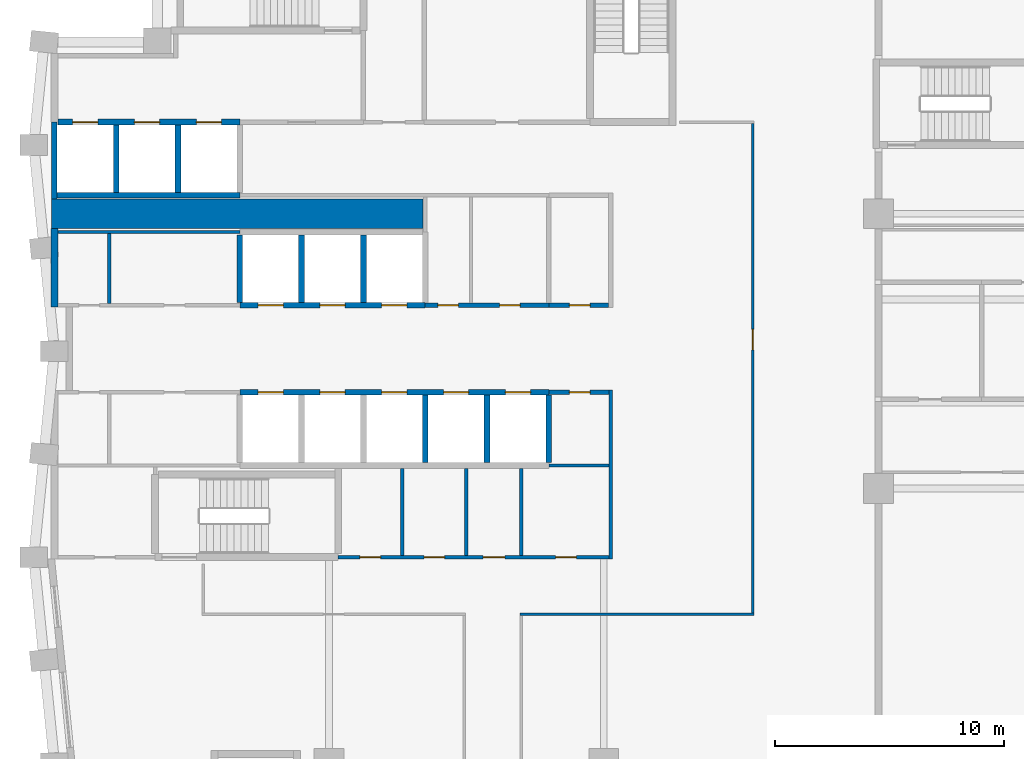
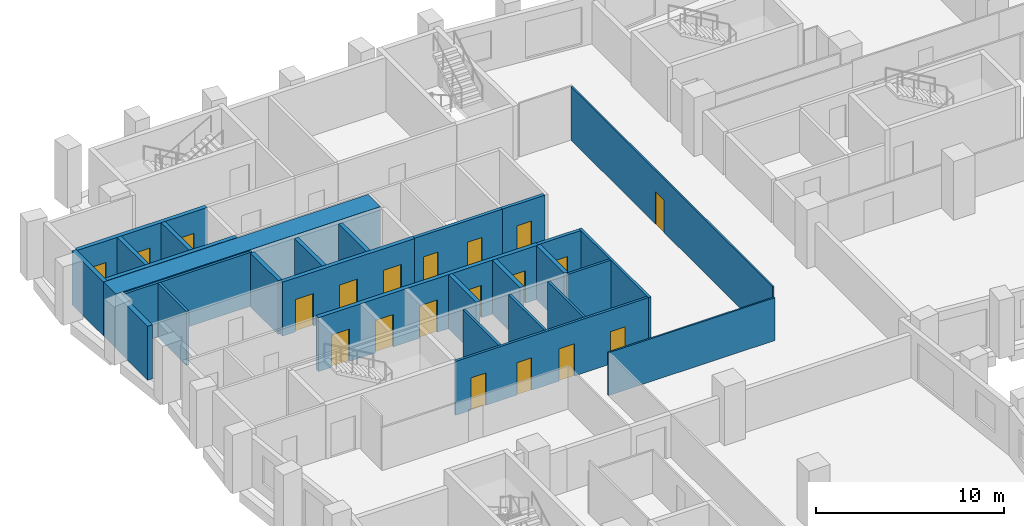
# One storey, part 5 of 11: 28 walls, 20 doors, 20 openings.
"""IFC4 building model written with IfcOpenShell, lengths in metres."""

from ifc_helpers import new_model, si_unit, direction, frame, frame_2d, origin, place, context, subcontext, project, spatial, rectangle, extrude, material, layer, layer_set, type_object, element, fill, save


model = new_model("IFC4")

# Units and contexts
model_context = context("Model", 3, precision=1e-05, world=origin(), true_north=direction((0.0, 1.0)))
body_context = subcontext(model_context, "Body", "Model", "MODEL_VIEW")
ifc_project = project(units=[si_unit("LENGTHUNIT", "METRE"), si_unit("AREAUNIT", "SQUARE_METRE"), si_unit("VOLUMEUNIT", "CUBIC_METRE"), si_unit("PLANEANGLEUNIT", "RADIAN"), si_unit("MASSUNIT", "GRAM", prefix="KILO")], contexts=[model_context])

# Site, building, storey
site_placement = place(None, origin())
site = spatial("IfcSite", under=ifc_project, at=site_placement, CompositionType="ELEMENT")
building_placement = place(site_placement, origin())
building = spatial("IfcBuilding", under=site, at=building_placement, Name="Brondeck Convention Tower", CompositionType="ELEMENT")
storey_placement = place(building_placement, frame((0.0, 0.0, 118.89990234375)))
storey = spatial("IfcBuildingStorey", under=building, at=storey_placement, Name="L28", CompositionType="ELEMENT", Elevation=118.89990234375)

# Wall, openings, doors
ifc_material_1 = material(Name="Concrete C70/85", Category="concrete")
ifc_layer_1 = layer(ifc_material_1, 0.14990234375)
ifc_layer_set_1 = layer_set([ifc_layer_1], Name="Core beam-seat wall 150 Concrete C70/85")
wall_type_1 = type_object("IfcWallType", Name="Core beam-seat wall 150 Concrete C70/85", PredefinedType="SHEAR", material=ifc_layer_set_1)
wall_1_placement = place(storey_placement, frame((12.39990234375, 36.0, 0.0), z_axis=(0.0, 0.0, 1.0), x_axis=(1.0, 0.0, 0.0)))
wall_1 = element("IfcWall", 1, at=wall_1_placement, inside=storey, type_object=wall_type_1, Name="L28 core wall", PredefinedType="SHEAR", context=body_context, shape_type="SweptSolid", body=[
    extrude(rectangle(XDim=11.8251953125, YDim=0.14990234375, at=frame_2d((5.91259765625, 0.0))), origin(), (0.0, 0.0, 1.0), 3.5),
])
opening_1_placement = place(wall_1_placement, frame((0.949951171875, 0.0, 0.0)))
opening_1 = element("IfcOpeningElement", 2, at=opening_1_placement, cuts=wall_1, Name="Opening C16-03", PredefinedType="OPENING", context=body_context, shape_type="SweptSolid", body=[
    extrude(rectangle(XDim=0.89990234375, YDim=2.10009765625, at=frame_2d((0.449951171875, 1.050048828125))), frame((0.0, 0.0849609375, 0.0), z_axis=(0.0, -1.0, 0.0), x_axis=(1.0, 0.0, 0.0)), (0.0, 0.0, 1.0), 0.169921875),
])
opening_2_placement = place(wall_1_placement, frame((3.75, 0.0, 0.0)))
opening_2 = element("IfcOpeningElement", 3, at=opening_2_placement, cuts=wall_1, Name="Opening C16-04", PredefinedType="OPENING", context=body_context, shape_type="SweptSolid", body=[
    extrude(rectangle(XDim=0.89990234375, YDim=2.10009765625, at=frame_2d((0.449951171875, 1.050048828125))), frame((0.0, 0.0849609375, 0.0), z_axis=(0.0, -1.0, 0.0), x_axis=(1.0, 0.0, 0.0)), (0.0, 0.0, 1.0), 0.169921875),
])
opening_3_placement = place(wall_1_placement, frame((6.324951171875, 0.0, 0.0)))
opening_3 = element("IfcOpeningElement", 4, at=opening_3_placement, cuts=wall_1, Name="Opening C16-05", PredefinedType="OPENING", context=body_context, shape_type="SweptSolid", body=[
    extrude(rectangle(XDim=0.949951171875, YDim=2.10009765625, at=frame_2d((0.47509765625, 1.050048828125))), frame((0.0, 0.0849609375, 0.0), z_axis=(0.0, -1.0, 0.0), x_axis=(1.0, 0.0, 0.0)), (0.0, 0.0, 1.0), 0.169921875),
])
opening_4_placement = place(wall_1_placement, frame((9.5, 0.0, 0.0)))
opening_4 = element("IfcOpeningElement", 5, at=opening_4_placement, cuts=wall_1, Name="Opening C16-06", PredefinedType="OPENING", context=body_context, shape_type="SweptSolid", body=[
    extrude(rectangle(XDim=0.89990234375, YDim=2.10009765625, at=frame_2d((0.449951171875, 1.050048828125))), frame((0.0, 0.0849609375, 0.0), z_axis=(0.0, -1.0, 0.0), x_axis=(1.0, 0.0, 0.0)), (0.0, 0.0, 1.0), 0.169921875),
])
ifc_material_2 = material(Name="Steel fire door", Category="steel")
door_type_1 = type_object("IfcDoorType", Name="Room door 900x2100 EI 60", OperationType="NOTDEFINED", PredefinedType="DOOR", material=ifc_material_2)
door_1_placement = place(opening_1_placement, origin())
door_1 = element("IfcDoor", 6, at=door_1_placement, inside=storey, type_object=door_type_1, Name="L28 Room door FR-1", OperationType="SINGLE_SWING_RIGHT", OverallHeight=2.10009765625, OverallWidth=0.89990234375, PredefinedType="DOOR", context=body_context, shape_type="SweptSolid", body=[
    extrude(rectangle(XDim=0.89990234375, YDim=2.10009765625, at=frame_2d((0.449951171875, 1.050048828125))), frame((0.0, 0.02490234375, 0.0), z_axis=(0.0, -1.0, 0.0), x_axis=(1.0, 0.0, 0.0)), (0.0, 0.0, 1.0), 0.050048828125),
])
fill(opening_1, door_1)
door_2_placement = place(opening_2_placement, origin())
door_2 = element("IfcDoor", 7, at=door_2_placement, inside=storey, type_object=door_type_1, Name="L28 Room door FR-2", OperationType="SINGLE_SWING_LEFT", OverallHeight=2.10009765625, OverallWidth=0.89990234375, PredefinedType="DOOR", context=body_context, shape_type="SweptSolid", body=[
    extrude(rectangle(XDim=0.89990234375, YDim=2.10009765625, at=frame_2d((0.449951171875, 1.050048828125))), frame((0.0, 0.02490234375, 0.0), z_axis=(0.0, -1.0, 0.0), x_axis=(1.0, 0.0, 0.0)), (0.0, 0.0, 1.0), 0.050048828125),
])
fill(opening_2, door_2)
door_3_placement = place(opening_4_placement, origin())
door_3 = element("IfcDoor", 8, at=door_3_placement, inside=storey, type_object=door_type_1, Name="L28 Room door FR-4", OperationType="SINGLE_SWING_LEFT", OverallHeight=2.10009765625, OverallWidth=0.89990234375, PredefinedType="DOOR", context=body_context, shape_type="SweptSolid", body=[
    extrude(rectangle(XDim=0.89990234375, YDim=2.10009765625, at=frame_2d((0.449951171875, 1.050048828125))), frame((0.0, 0.02490234375, 0.0), z_axis=(0.0, -1.0, 0.0), x_axis=(1.0, 0.0, 0.0)), (0.0, 0.0, 1.0), 0.050048828125),
])
fill(opening_4, door_3)
door_type_2 = type_object("IfcDoorType", Name="Room door 950x2100 EI 60", OperationType="NOTDEFINED", PredefinedType="DOOR", material=ifc_material_2)
door_4_placement = place(opening_3_placement, origin())
door_4 = element("IfcDoor", 9, at=door_4_placement, inside=storey, type_object=door_type_2, Name="L28 Room door FR-3", OperationType="SINGLE_SWING_RIGHT", OverallHeight=2.10009765625, OverallWidth=0.949951171875, PredefinedType="DOOR", context=body_context, shape_type="SweptSolid", body=[
    extrude(rectangle(XDim=0.949951171875, YDim=2.10009765625, at=frame_2d((0.47509765625, 1.050048828125))), frame((0.0, 0.02490234375, 0.0), z_axis=(0.0, -1.0, 0.0), x_axis=(1.0, 0.0, 0.0)), (0.0, 0.0, 1.0), 0.050048828125),
])
fill(opening_3, door_4)

# Walls
ifc_layer_2 = layer(ifc_material_1, 0.300048828125)
ifc_layer_set_2 = layer_set([ifc_layer_2], Name="Core outer wall 300 Concrete C70/85")
wall_type_2 = type_object("IfcWallType", Name="Core outer wall 300 Concrete C70/85", PredefinedType="SHEAR", material=ifc_layer_set_2)
wall_2_placement = place(storey_placement, frame((0.0, 46.925048828125, 0.0), z_axis=(0.0, 0.0, 1.0), x_axis=(0.0, 1.0, 0.0)))
element("IfcWall", 10, at=wall_2_placement, inside=storey, type_object=wall_type_2, Name="L28 core wall", PredefinedType="SHEAR", context=body_context, shape_type="SweptSolid", body=[
    extrude(rectangle(XDim=3.425048828125, YDim=0.300048828125, at=frame_2d((1.71240234375, 0.0))), origin(), (0.0, 0.0, 1.0), 3.5),
])
ifc_material_3 = material(Name="Fire-rated gypsum board partition")
ifc_layer_3 = layer(ifc_material_3, 0.14990234375)
ifc_layer_set_3 = layer_set([ifc_layer_3], Name="Core partition 150 EI 60")
wall_type_3 = type_object("IfcWallType", Name="Core partition 150 EI 60", PredefinedType="PARTITIONING", material=ifc_layer_set_3)
wall_3_placement = place(storey_placement, frame((21.60009765625, 40.0, 0.0), z_axis=(0.0, 0.0, 1.0), x_axis=(1.0, 0.0, 0.0)))
element("IfcWall", 11, at=wall_3_placement, inside=storey, type_object=wall_type_3, Name="L28 core wall", PredefinedType="PARTITIONING", context=body_context, shape_type="SweptSolid", body=[
    extrude(rectangle(XDim=2.625, YDim=0.14990234375, at=frame_2d((1.3125, 0.0))), origin(), (0.0, 0.0, 1.0), 3.5),
])
wall_4_placement = place(storey_placement, frame((0.14990234375, 50.199951171875, 0.0), z_axis=(0.0, 0.0, 1.0), x_axis=(1.0, 0.0, 0.0)))
element("IfcWall", 12, at=wall_4_placement, inside=storey, type_object=wall_type_3, Name="L28 core wall", PredefinedType="PARTITIONING", context=body_context, shape_type="SweptSolid", body=[
    extrude(rectangle(XDim=7.9501953125, YDim=0.14990234375, at=frame_2d((3.97509765625, 0.0))), origin(), (0.0, 0.0, 1.0), 3.5),
])
wall_5_placement = place(storey_placement, frame((2.39990234375, 47.074951171875, 0.0), z_axis=(0.0, 0.0, 1.0), x_axis=(0.0, 1.0, 0.0)))
element("IfcWall", 13, at=wall_5_placement, inside=storey, type_object=wall_type_3, Name="L28 core wall", PredefinedType="PARTITIONING", context=body_context, shape_type="SweptSolid", body=[
    extrude(rectangle(XDim=3.050048828125, YDim=0.14990234375, at=frame_2d((1.52490234375, 0.0))), origin(), (0.0, 0.0, 1.0), 3.5),
])
for number, where, z_axis, x_axis, name in (
    (14, (15.199951171875, 36.074951171875, 0.0), (0.0, 0.0, 1.0), (0.0, 1.0, 0.0), "L28 core wall"),
    (15, (18.0, 36.074951171875, 0.0), (0.0, 0.0, 1.0), (0.0, 1.0, 0.0), "L28 core wall"),
    (16, (20.39990234375, 36.074951171875, 0.0), (0.0, 0.0, 1.0), (0.0, 1.0, 0.0), "L28 core wall"),
):
    element("IfcWall", number, at=place(storey_placement, frame(where, z_axis=z_axis, x_axis=x_axis)), inside=storey, type_object=wall_type_3, Name=name, PredefinedType="PARTITIONING", context=body_context, shape_type="SweptSolid", body=[
        extrude(rectangle(XDim=3.800048828125, YDim=0.14990234375, at=frame_2d((1.89990234375, 0.0))), origin(), (0.0, 0.0, 1.0), 3.5),
    ])
wall_6_placement = place(storey_placement, frame((24.300048828125, 35.925048828125, 0.0), z_axis=(0.0, 0.0, 1.0), x_axis=(0.0, 1.0, 0.0)))
element("IfcWall", 17, at=wall_6_placement, inside=storey, type_object=wall_type_3, Name="L28 core wall", PredefinedType="PARTITIONING", context=body_context, shape_type="SweptSolid", body=[
    extrude(rectangle(XDim=7.375, YDim=0.14990234375, at=frame_2d((3.6875, 0.0))), origin(), (0.0, 0.0, 1.0), 3.5),
])
ifc_layer_4 = layer(ifc_material_1, 1.300048828125)
ifc_layer_set_4 = layer_set([ifc_layer_4], Name="Core shear wall 1300 Concrete C70/85")
wall_type_4 = type_object("IfcWallType", Name="Core shear wall 1300 Concrete C70/85", PredefinedType="SHEAR", material=ifc_layer_set_4)
wall_7_placement = place(storey_placement, frame((-0.125, 51.0, 0.0), z_axis=(0.0, 0.0, 1.0), x_axis=(1.0, 0.0, 0.0)))
element("IfcWall", 18, at=wall_7_placement, inside=storey, type_object=wall_type_4, Name="L28 core wall", PredefinedType="SHEAR", context=body_context, shape_type="SweptSolid", body=[
    extrude(rectangle(XDim=16.22509765625, YDim=1.300048828125, at=frame_2d((8.112548828125, 0.0))), origin(), (0.0, 0.0, 1.0), 3.5),
])

# Wall, opening, door
ifc_layer_5 = layer(ifc_material_3, 0.199951171875)
ifc_layer_set_5 = layer_set([ifc_layer_5], Name="Lift lobby wall 200 EI 60")
wall_type_5 = type_object("IfcWallType", Name="Lift lobby wall 200 EI 60", PredefinedType="PARTITIONING", material=ifc_layer_set_5)
wall_8_placement = place(storey_placement, frame((21.60009765625, 43.199951171875, 0.0), z_axis=(0.0, 0.0, 1.0), x_axis=(1.0, 0.0, 0.0)))
wall_8 = element("IfcWall", 19, at=wall_8_placement, inside=storey, type_object=wall_type_5, Name="L28 core wall", PredefinedType="PARTITIONING", context=body_context, shape_type="SweptSolid", body=[
    extrude(rectangle(XDim=2.625, YDim=0.199951171875, at=frame_2d((1.3125, 0.0))), origin(), (0.0, 0.0, 1.0), 3.5),
])
opening_5_placement = place(wall_8_placement, frame((0.89990234375, 0.0, 0.0)))
opening_5 = element("IfcOpeningElement", 20, at=opening_5_placement, cuts=wall_8, Name="Opening C16-14", PredefinedType="OPENING", context=body_context, shape_type="SweptSolid", body=[
    extrude(rectangle(XDim=0.89990234375, YDim=2.10009765625, at=frame_2d((0.449951171875, 1.050048828125))), frame((0.0, 0.10986328125, 0.0), z_axis=(0.0, -1.0, 0.0), x_axis=(1.0, 0.0, 0.0)), (0.0, 0.0, 1.0), 0.219970703125),
])
door_5_placement = place(opening_5_placement, origin())
door_5 = element("IfcDoor", 21, at=door_5_placement, inside=storey, type_object=door_type_1, Name="L28 Room door FZ-S-21.6-1", OperationType="SINGLE_SWING_RIGHT", OverallHeight=2.10009765625, OverallWidth=0.89990234375, PredefinedType="DOOR", context=body_context, shape_type="SweptSolid", body=[
    extrude(rectangle(XDim=0.89990234375, YDim=2.10009765625, at=frame_2d((0.449951171875, 1.050048828125))), frame((0.0, 0.02490234375, 0.0), z_axis=(0.0, -1.0, 0.0), x_axis=(1.0, 0.0, 0.0)), (0.0, 0.0, 1.0), 0.050048828125),
])
fill(opening_5, door_5)

# Wall, openings, doors
wall_9_placement = place(storey_placement, frame((16.199951171875, 47.0, 0.0), z_axis=(0.0, 0.0, 1.0), x_axis=(1.0, 0.0, 0.0)))
wall_9 = element("IfcWall", 22, at=wall_9_placement, inside=storey, type_object=wall_type_5, Name="L28 core wall", PredefinedType="PARTITIONING", context=body_context, shape_type="SweptSolid", body=[
    extrude(rectangle(XDim=5.400146484375, YDim=0.199951171875, at=frame_2d((2.7001953125, 0.0))), origin(), (0.0, 0.0, 1.0), 3.5),
])
opening_6_placement = place(wall_9_placement, frame((0.550048828125, 0.0, 0.0)))
opening_6 = element("IfcOpeningElement", 23, at=opening_6_placement, cuts=wall_9, Name="Opening C16-10", PredefinedType="OPENING", context=body_context, shape_type="SweptSolid", body=[
    extrude(rectangle(XDim=0.89990234375, YDim=2.10009765625, at=frame_2d((0.449951171875, 1.050048828125))), frame((0.0, 0.10986328125, 0.0), z_axis=(0.0, -1.0, 0.0), x_axis=(1.0, 0.0, 0.0)), (0.0, 0.0, 1.0), 0.219970703125),
])
opening_7_placement = place(wall_9_placement, frame((3.25, 0.0, 0.0)))
opening_7 = element("IfcOpeningElement", 24, at=opening_7_placement, cuts=wall_9, Name="Opening C16-11", PredefinedType="OPENING", context=body_context, shape_type="SweptSolid", body=[
    extrude(rectangle(XDim=0.89990234375, YDim=2.10009765625, at=frame_2d((0.449951171875, 1.050048828125))), frame((0.0, 0.10986328125, 0.0), z_axis=(0.0, -1.0, 0.0), x_axis=(1.0, 0.0, 0.0)), (0.0, 0.0, 1.0), 0.219970703125),
])
door_6_placement = place(opening_6_placement, origin())
door_6 = element("IfcDoor", 25, at=door_6_placement, inside=storey, type_object=door_type_1, Name="L28 Room door FZ-N-16.2-1", OperationType="SINGLE_SWING_LEFT", OverallHeight=2.10009765625, OverallWidth=0.89990234375, PredefinedType="DOOR", context=body_context, shape_type="SweptSolid", body=[
    extrude(rectangle(XDim=0.89990234375, YDim=2.10009765625, at=frame_2d((0.449951171875, 1.050048828125))), frame((0.0, 0.02490234375, 0.0), z_axis=(0.0, -1.0, 0.0), x_axis=(1.0, 0.0, 0.0)), (0.0, 0.0, 1.0), 0.050048828125),
])
fill(opening_6, door_6)
door_7_placement = place(opening_7_placement, origin())
door_7 = element("IfcDoor", 26, at=door_7_placement, inside=storey, type_object=door_type_1, Name="L28 Room door FZ-N-16.2-2", OperationType="SINGLE_SWING_RIGHT", OverallHeight=2.10009765625, OverallWidth=0.89990234375, PredefinedType="DOOR", context=body_context, shape_type="SweptSolid", body=[
    extrude(rectangle(XDim=0.89990234375, YDim=2.10009765625, at=frame_2d((0.449951171875, 1.050048828125))), frame((0.0, 0.02490234375, 0.0), z_axis=(0.0, -1.0, 0.0), x_axis=(1.0, 0.0, 0.0)), (0.0, 0.0, 1.0), 0.050048828125),
])
fill(opening_7, door_7)

ifc_layer_6 = layer(ifc_material_1, 0.25)
ifc_layer_set_6 = layer_set([ifc_layer_6], Name="Lift shaft wall 250 Concrete C70/85")
wall_type_6 = type_object("IfcWallType", Name="Lift shaft wall 250 Concrete C70/85", PredefinedType="SHEAR", material=ifc_layer_set_6)
wall_10_placement = place(storey_placement, frame((8.10009765625, 43.199951171875, 0.0), z_axis=(0.0, 0.0, 1.0), x_axis=(1.0, 0.0, 0.0)))
wall_10 = element("IfcWall", 27, at=wall_10_placement, inside=storey, type_object=wall_type_6, Name="L28 core wall", PredefinedType="SHEAR", context=body_context, shape_type="SweptSolid", body=[
    extrude(rectangle(XDim=13.5, YDim=0.25, at=frame_2d((6.75, 0.0))), origin(), (0.0, 0.0, 1.0), 3.5),
])
opening_8_placement = place(wall_10_placement, frame((0.800048828125, 0.0, 0.0)))
opening_8 = element("IfcOpeningElement", 28, at=opening_8_placement, cuts=wall_10, Name="Opening C16-27", PredefinedType="OPENING", context=body_context, shape_type="SweptSolid", body=[
    extrude(rectangle(XDim=1.10009765625, YDim=2.10009765625, at=frame_2d((0.550048828125, 1.050048828125))), frame((0.0, 0.135009765625, 0.0), z_axis=(0.0, -1.0, 0.0), x_axis=(1.0, 0.0, 0.0)), (0.0, 0.0, 1.0), 0.27001953125),
])
opening_9_placement = place(wall_10_placement, frame((3.5, 0.0, 0.0)))
opening_9 = element("IfcOpeningElement", 29, at=opening_9_placement, cuts=wall_10, Name="Opening C16-28", PredefinedType="OPENING", context=body_context, shape_type="SweptSolid", body=[
    extrude(rectangle(XDim=1.10009765625, YDim=2.10009765625, at=frame_2d((0.550048828125, 1.050048828125))), frame((0.0, 0.135009765625, 0.0), z_axis=(0.0, -1.0, 0.0), x_axis=(1.0, 0.0, 0.0)), (0.0, 0.0, 1.0), 0.27001953125),
])
opening_10_placement = place(wall_10_placement, frame((6.199951171875, 0.0, 0.0)))
opening_10 = element("IfcOpeningElement", 30, at=opening_10_placement, cuts=wall_10, Name="Opening C16-29", PredefinedType="OPENING", context=body_context, shape_type="SweptSolid", body=[
    extrude(rectangle(XDim=1.10009765625, YDim=2.10009765625, at=frame_2d((0.550048828125, 1.050048828125))), frame((0.0, 0.135009765625, 0.0), z_axis=(0.0, -1.0, 0.0), x_axis=(1.0, 0.0, 0.0)), (0.0, 0.0, 1.0), 0.27001953125),
])
opening_11_placement = place(wall_10_placement, frame((8.89990234375, 0.0, 0.0)))
opening_11 = element("IfcOpeningElement", 31, at=opening_11_placement, cuts=wall_10, Name="Opening C16-33", PredefinedType="OPENING", context=body_context, shape_type="SweptSolid", body=[
    extrude(rectangle(XDim=1.10009765625, YDim=2.10009765625, at=frame_2d((0.550048828125, 1.050048828125))), frame((0.0, 0.135009765625, 0.0), z_axis=(0.0, -1.0, 0.0), x_axis=(1.0, 0.0, 0.0)), (0.0, 0.0, 1.0), 0.27001953125),
])
opening_12_placement = place(wall_10_placement, frame((11.60009765625, 0.0, 0.0)))
opening_12 = element("IfcOpeningElement", 32, at=opening_12_placement, cuts=wall_10, Name="Opening C16-34", PredefinedType="OPENING", context=body_context, shape_type="SweptSolid", body=[
    extrude(rectangle(XDim=1.10009765625, YDim=2.10009765625, at=frame_2d((0.550048828125, 1.050048828125))), frame((0.0, 0.135009765625, 0.0), z_axis=(0.0, -1.0, 0.0), x_axis=(1.0, 0.0, 0.0)), (0.0, 0.0, 1.0), 0.27001953125),
])
ifc_material_4 = material(Name="Stainless steel lift door", Category="steel")
door_type_3 = type_object("IfcDoorType", Name="Lift landing door 1100x2100 EI 180", OperationType="DOUBLE_DOOR_SLIDING", PredefinedType="DOOR", material=ifc_material_4)
door_8_placement = place(opening_8_placement, origin())
door_8 = element("IfcDoor", 33, at=door_8_placement, inside=storey, type_object=door_type_3, Name="L28 Lift landing door LR1", OperationType="DOUBLE_DOOR_SLIDING", OverallHeight=2.10009765625, OverallWidth=1.10009765625, PredefinedType="DOOR", context=body_context, shape_type="SweptSolid", body=[
    extrude(rectangle(XDim=1.10009765625, YDim=2.10009765625, at=frame_2d((0.550048828125, 1.050048828125))), frame((0.0, 0.02490234375, 0.0), z_axis=(0.0, -1.0, 0.0), x_axis=(1.0, 0.0, 0.0)), (0.0, 0.0, 1.0), 0.050048828125),
])
fill(opening_8, door_8)
door_9_placement = place(opening_9_placement, origin())
door_9 = element("IfcDoor", 34, at=door_9_placement, inside=storey, type_object=door_type_3, Name="L28 Lift landing door LR2", OperationType="DOUBLE_DOOR_SLIDING", OverallHeight=2.10009765625, OverallWidth=1.10009765625, PredefinedType="DOOR", context=body_context, shape_type="SweptSolid", body=[
    extrude(rectangle(XDim=1.10009765625, YDim=2.10009765625, at=frame_2d((0.550048828125, 1.050048828125))), frame((0.0, 0.02490234375, 0.0), z_axis=(0.0, -1.0, 0.0), x_axis=(1.0, 0.0, 0.0)), (0.0, 0.0, 1.0), 0.050048828125),
])
fill(opening_9, door_9)
door_10_placement = place(opening_10_placement, origin())
door_10 = element("IfcDoor", 35, at=door_10_placement, inside=storey, type_object=door_type_3, Name="L28 Lift landing door LR3", OperationType="DOUBLE_DOOR_SLIDING", OverallHeight=2.10009765625, OverallWidth=1.10009765625, PredefinedType="DOOR", context=body_context, shape_type="SweptSolid", body=[
    extrude(rectangle(XDim=1.10009765625, YDim=2.10009765625, at=frame_2d((0.550048828125, 1.050048828125))), frame((0.0, 0.02490234375, 0.0), z_axis=(0.0, -1.0, 0.0), x_axis=(1.0, 0.0, 0.0)), (0.0, 0.0, 1.0), 0.050048828125),
])
fill(opening_10, door_10)
door_11_placement = place(opening_11_placement, origin())
door_11 = element("IfcDoor", 36, at=door_11_placement, inside=storey, type_object=door_type_3, Name="L28 Lift landing door SH1", OperationType="DOUBLE_DOOR_SLIDING", OverallHeight=2.10009765625, OverallWidth=1.10009765625, PredefinedType="DOOR", context=body_context, shape_type="SweptSolid", body=[
    extrude(rectangle(XDim=1.10009765625, YDim=2.10009765625, at=frame_2d((0.550048828125, 1.050048828125))), frame((0.0, 0.02490234375, 0.0), z_axis=(0.0, -1.0, 0.0), x_axis=(1.0, 0.0, 0.0)), (0.0, 0.0, 1.0), 0.050048828125),
])
fill(opening_11, door_11)
door_12_placement = place(opening_12_placement, origin())
door_12 = element("IfcDoor", 37, at=door_12_placement, inside=storey, type_object=door_type_3, Name="L28 Lift landing door SH2", OperationType="DOUBLE_DOOR_SLIDING", OverallHeight=2.10009765625, OverallWidth=1.10009765625, PredefinedType="DOOR", context=body_context, shape_type="SweptSolid", body=[
    extrude(rectangle(XDim=1.10009765625, YDim=2.10009765625, at=frame_2d((0.550048828125, 1.050048828125))), frame((0.0, 0.02490234375, 0.0), z_axis=(0.0, -1.0, 0.0), x_axis=(1.0, 0.0, 0.0)), (0.0, 0.0, 1.0), 0.050048828125),
])
fill(opening_12, door_12)

wall_11_placement = place(storey_placement, frame((8.10009765625, 47.0, 0.0), z_axis=(0.0, 0.0, 1.0), x_axis=(1.0, 0.0, 0.0)))
wall_11 = element("IfcWall", 38, at=wall_11_placement, inside=storey, type_object=wall_type_6, Name="L28 core wall", PredefinedType="SHEAR", context=body_context, shape_type="SweptSolid", body=[
    extrude(rectangle(XDim=8.099853515625, YDim=0.25, at=frame_2d((4.0498046875, 0.0))), origin(), (0.0, 0.0, 1.0), 3.5),
])
opening_13_placement = place(wall_11_placement, frame((0.800048828125, 0.0, 0.0)))
opening_13 = element("IfcOpeningElement", 39, at=opening_13_placement, cuts=wall_11, Name="Opening C16-30", PredefinedType="OPENING", context=body_context, shape_type="SweptSolid", body=[
    extrude(rectangle(XDim=1.10009765625, YDim=2.10009765625, at=frame_2d((0.550048828125, 1.050048828125))), frame((0.0, 0.135009765625, 0.0), z_axis=(0.0, -1.0, 0.0), x_axis=(1.0, 0.0, 0.0)), (0.0, 0.0, 1.0), 0.27001953125),
])
opening_14_placement = place(wall_11_placement, frame((3.5, 0.0, 0.0)))
opening_14 = element("IfcOpeningElement", 40, at=opening_14_placement, cuts=wall_11, Name="Opening C16-31", PredefinedType="OPENING", context=body_context, shape_type="SweptSolid", body=[
    extrude(rectangle(XDim=1.10009765625, YDim=2.10009765625, at=frame_2d((0.550048828125, 1.050048828125))), frame((0.0, 0.135009765625, 0.0), z_axis=(0.0, -1.0, 0.0), x_axis=(1.0, 0.0, 0.0)), (0.0, 0.0, 1.0), 0.27001953125),
])
opening_15_placement = place(wall_11_placement, frame((6.199951171875, 0.0, 0.0)))
opening_15 = element("IfcOpeningElement", 41, at=opening_15_placement, cuts=wall_11, Name="Opening C16-32", PredefinedType="OPENING", context=body_context, shape_type="SweptSolid", body=[
    extrude(rectangle(XDim=1.10009765625, YDim=2.10009765625, at=frame_2d((0.550048828125, 1.050048828125))), frame((0.0, 0.135009765625, 0.0), z_axis=(0.0, -1.0, 0.0), x_axis=(1.0, 0.0, 0.0)), (0.0, 0.0, 1.0), 0.27001953125),
])
door_13_placement = place(opening_13_placement, origin())
door_13 = element("IfcDoor", 42, at=door_13_placement, inside=storey, type_object=door_type_3, Name="L28 Lift landing door LR4", OperationType="DOUBLE_DOOR_SLIDING", OverallHeight=2.10009765625, OverallWidth=1.10009765625, PredefinedType="DOOR", context=body_context, shape_type="SweptSolid", body=[
    extrude(rectangle(XDim=1.10009765625, YDim=2.10009765625, at=frame_2d((0.550048828125, 1.050048828125))), frame((0.0, 0.02490234375, 0.0), z_axis=(0.0, -1.0, 0.0), x_axis=(1.0, 0.0, 0.0)), (0.0, 0.0, 1.0), 0.050048828125),
])
fill(opening_13, door_13)
door_14_placement = place(opening_14_placement, origin())
door_14 = element("IfcDoor", 43, at=door_14_placement, inside=storey, type_object=door_type_3, Name="L28 Lift landing door LR5", OperationType="DOUBLE_DOOR_SLIDING", OverallHeight=2.10009765625, OverallWidth=1.10009765625, PredefinedType="DOOR", context=body_context, shape_type="SweptSolid", body=[
    extrude(rectangle(XDim=1.10009765625, YDim=2.10009765625, at=frame_2d((0.550048828125, 1.050048828125))), frame((0.0, 0.02490234375, 0.0), z_axis=(0.0, -1.0, 0.0), x_axis=(1.0, 0.0, 0.0)), (0.0, 0.0, 1.0), 0.050048828125),
])
fill(opening_14, door_14)
door_15_placement = place(opening_15_placement, origin())
door_15 = element("IfcDoor", 44, at=door_15_placement, inside=storey, type_object=door_type_3, Name="L28 Lift landing door LR6", OperationType="DOUBLE_DOOR_SLIDING", OverallHeight=2.10009765625, OverallWidth=1.10009765625, PredefinedType="DOOR", context=body_context, shape_type="SweptSolid", body=[
    extrude(rectangle(XDim=1.10009765625, YDim=2.10009765625, at=frame_2d((0.550048828125, 1.050048828125))), frame((0.0, 0.02490234375, 0.0), z_axis=(0.0, -1.0, 0.0), x_axis=(1.0, 0.0, 0.0)), (0.0, 0.0, 1.0), 0.050048828125),
])
fill(opening_15, door_15)

# Wall
wall_12_placement = place(storey_placement, frame((0.125, 51.800048828125, 0.0), z_axis=(0.0, 0.0, 1.0), x_axis=(1.0, 0.0, 0.0)))
element("IfcWall", 45, at=wall_12_placement, inside=storey, type_object=wall_type_6, Name="L28 core wall", PredefinedType="SHEAR", context=body_context, shape_type="SweptSolid", body=[
    extrude(rectangle(XDim=7.97509765625, YDim=0.25, at=frame_2d((3.987548828125, 0.0))), origin(), (0.0, 0.0, 1.0), 3.5),
])

# Wall, openings, doors
wall_13_placement = place(storey_placement, frame((0.14990234375, 55.0, 0.0), z_axis=(0.0, 0.0, 1.0), x_axis=(1.0, 0.0, 0.0)))
wall_13 = element("IfcWall", 46, at=wall_13_placement, inside=storey, type_object=wall_type_6, Name="L28 core wall", PredefinedType="SHEAR", context=body_context, shape_type="SweptSolid", body=[
    extrude(rectangle(XDim=7.9501953125, YDim=0.25, at=frame_2d((3.97509765625, 0.0))), origin(), (0.0, 0.0, 1.0), 3.5),
])
opening_16_placement = place(wall_13_placement, frame((0.64990234375, 0.0, 0.0)))
opening_16 = element("IfcOpeningElement", 47, at=opening_16_placement, cuts=wall_13, Name="Opening C16-24", PredefinedType="OPENING", context=body_context, shape_type="SweptSolid", body=[
    extrude(rectangle(XDim=1.10009765625, YDim=2.10009765625, at=frame_2d((0.550048828125, 1.050048828125))), frame((0.0, 0.135009765625, 0.0), z_axis=(0.0, -1.0, 0.0), x_axis=(1.0, 0.0, 0.0)), (0.0, 0.0, 1.0), 0.27001953125),
])
opening_17_placement = place(wall_13_placement, frame((3.35009765625, 0.0, 0.0)))
opening_17 = element("IfcOpeningElement", 48, at=opening_17_placement, cuts=wall_13, Name="Opening C16-25", PredefinedType="OPENING", context=body_context, shape_type="SweptSolid", body=[
    extrude(rectangle(XDim=1.10009765625, YDim=2.10009765625, at=frame_2d((0.550048828125, 1.050048828125))), frame((0.0, 0.135009765625, 0.0), z_axis=(0.0, -1.0, 0.0), x_axis=(1.0, 0.0, 0.0)), (0.0, 0.0, 1.0), 0.27001953125),
])
opening_18_placement = place(wall_13_placement, frame((6.050048828125, 0.0, 0.0)))
opening_18 = element("IfcOpeningElement", 49, at=opening_18_placement, cuts=wall_13, Name="Opening C16-26", PredefinedType="OPENING", context=body_context, shape_type="SweptSolid", body=[
    extrude(rectangle(XDim=1.10009765625, YDim=2.10009765625, at=frame_2d((0.550048828125, 1.050048828125))), frame((0.0, 0.135009765625, 0.0), z_axis=(0.0, -1.0, 0.0), x_axis=(1.0, 0.0, 0.0)), (0.0, 0.0, 1.0), 0.27001953125),
])
door_16_placement = place(opening_16_placement, origin())
door_16 = element("IfcDoor", 50, at=door_16_placement, inside=storey, type_object=door_type_3, Name="L28 Lift landing door FF1", OperationType="DOUBLE_DOOR_SLIDING", OverallHeight=2.10009765625, OverallWidth=1.10009765625, PredefinedType="DOOR", context=body_context, shape_type="SweptSolid", body=[
    extrude(rectangle(XDim=1.10009765625, YDim=2.10009765625, at=frame_2d((0.550048828125, 1.050048828125))), frame((0.0, 0.02490234375, 0.0), z_axis=(0.0, -1.0, 0.0), x_axis=(1.0, 0.0, 0.0)), (0.0, 0.0, 1.0), 0.050048828125),
])
fill(opening_16, door_16)
door_17_placement = place(opening_17_placement, origin())
door_17 = element("IfcDoor", 51, at=door_17_placement, inside=storey, type_object=door_type_3, Name="L28 Lift landing door FF2", OperationType="DOUBLE_DOOR_SLIDING", OverallHeight=2.10009765625, OverallWidth=1.10009765625, PredefinedType="DOOR", context=body_context, shape_type="SweptSolid", body=[
    extrude(rectangle(XDim=1.10009765625, YDim=2.10009765625, at=frame_2d((0.550048828125, 1.050048828125))), frame((0.0, 0.02490234375, 0.0), z_axis=(0.0, -1.0, 0.0), x_axis=(1.0, 0.0, 0.0)), (0.0, 0.0, 1.0), 0.050048828125),
])
fill(opening_17, door_17)
door_18_placement = place(opening_18_placement, origin())
door_18 = element("IfcDoor", 52, at=door_18_placement, inside=storey, type_object=door_type_3, Name="L28 Lift landing door FF3", OperationType="DOUBLE_DOOR_SLIDING", OverallHeight=2.10009765625, OverallWidth=1.10009765625, PredefinedType="DOOR", context=body_context, shape_type="SweptSolid", body=[
    extrude(rectangle(XDim=1.10009765625, YDim=2.10009765625, at=frame_2d((0.550048828125, 1.050048828125))), frame((0.0, 0.02490234375, 0.0), z_axis=(0.0, -1.0, 0.0), x_axis=(1.0, 0.0, 0.0)), (0.0, 0.0, 1.0), 0.050048828125),
])
fill(opening_18, door_18)

# Walls
wall_14_placement = place(storey_placement, frame((0.0, 51.64990234375, 0.0), z_axis=(0.0, 0.0, 1.0), x_axis=(0.0, 1.0, 0.0)))
element("IfcWall", 53, at=wall_14_placement, inside=storey, type_object=wall_type_6, Name="L28 core wall", PredefinedType="SHEAR", context=body_context, shape_type="SweptSolid", body=[
    extrude(rectangle(XDim=3.35009765625, YDim=0.25, at=frame_2d((1.675048828125, 0.0))), origin(), (0.0, 0.0, 1.0), 3.5),
])
for number, where, z_axis, x_axis, name in (
    (54, (2.699951171875, 51.925048828125, 0.0), (0.0, 0.0, 1.0), (0.0, 1.0, 0.0), "L28 core wall"),
    (55, (5.39990234375, 51.925048828125, 0.0), (0.0, 0.0, 1.0), (0.0, 1.0, 0.0), "L28 core wall"),
    (56, (8.10009765625, 47.125, 0.0), (0.0, 0.0, 1.0), (0.0, 1.0, 0.0), "L28 core wall"),
    (57, (10.800048828125, 47.125, 0.0), (0.0, 0.0, 1.0), (0.0, 1.0, 0.0), "L28 core wall"),
    (58, (13.5, 47.125, 0.0), (0.0, 0.0, 1.0), (0.0, 1.0, 0.0), "L28 core wall"),
    (59, (16.199951171875, 40.125, 0.0), (0.0, 0.0, 1.0), (0.0, 1.0, 0.0), "L28 core wall"),
    (60, (18.89990234375, 40.125, 0.0), (0.0, 0.0, 1.0), (0.0, 1.0, 0.0), "L28 core wall"),
    (61, (21.60009765625, 40.125, 0.0), (0.0, 0.0, 1.0), (0.0, 1.0, 0.0), "L28 core wall"),
):
    element("IfcWall", number, at=place(storey_placement, frame(where, z_axis=z_axis, x_axis=x_axis)), inside=storey, type_object=wall_type_6, Name=name, PredefinedType="SHEAR", context=body_context, shape_type="SweptSolid", body=[
        extrude(rectangle(XDim=2.949951171875, YDim=0.25, at=frame_2d((1.47509765625, 0.0))), origin(), (0.0, 0.0, 1.0), 3.5),
    ])

# Wall, opening, door
ifc_layer_7 = layer(ifc_material_3, 0.199951171875)
ifc_layer_set_7 = layer_set([ifc_layer_7], Name="Riser wall 200 EI 120")
wall_type_7 = type_object("IfcWallType", Name="Riser wall 200 EI 120", PredefinedType="PARTITIONING", material=ifc_layer_set_7)
wall_15_placement = place(storey_placement, frame((21.60009765625, 47.0, 0.0), z_axis=(0.0, 0.0, 1.0), x_axis=(1.0, 0.0, 0.0)))
wall_15 = element("IfcWall", 62, at=wall_15_placement, inside=storey, type_object=wall_type_7, Name="L28 core wall", PredefinedType="PARTITIONING", context=body_context, shape_type="SweptSolid", body=[
    extrude(rectangle(XDim=2.599853515625, YDim=0.199951171875, at=frame_2d((1.2998046875, 0.0))), origin(), (0.0, 0.0, 1.0), 3.5),
])
opening_19_placement = place(wall_15_placement, frame((0.89990234375, 0.0, 0.0)))
opening_19 = element("IfcOpeningElement", 63, at=opening_19_placement, cuts=wall_15, Name="Opening C16-02", PredefinedType="OPENING", context=body_context, shape_type="SweptSolid", body=[
    extrude(rectangle(XDim=0.89990234375, YDim=2.10009765625, at=frame_2d((0.449951171875, 1.050048828125))), frame((0.0, 0.10986328125, 0.0), z_axis=(0.0, -1.0, 0.0), x_axis=(1.0, 0.0, 0.0)), (0.0, 0.0, 1.0), 0.219970703125),
])
door_type_4 = type_object("IfcDoorType", Name="Riser door 900x2100 EI 120", OperationType="NOTDEFINED", PredefinedType="DOOR", material=ifc_material_2)
door_19_placement = place(opening_19_placement, origin())
door_19 = element("IfcDoor", 64, at=door_19_placement, inside=storey, type_object=door_type_4, Name="L28 Riser door EN-1", OperationType="SINGLE_SWING_LEFT", OverallHeight=2.10009765625, OverallWidth=0.89990234375, PredefinedType="DOOR", context=body_context, shape_type="SweptSolid", body=[
    extrude(rectangle(XDim=0.89990234375, YDim=2.10009765625, at=frame_2d((0.449951171875, 1.050048828125))), frame((0.0, 0.02490234375, 0.0), z_axis=(0.0, -1.0, 0.0), x_axis=(1.0, 0.0, 0.0)), (0.0, 0.0, 1.0), 0.050048828125),
])
fill(opening_19, door_19)

# Wall
ifc_material_5 = material(Name="Gypsum board partition on steel studs", Category="steel")
ifc_layer_8 = layer(ifc_material_5, 0.10009765625)
ifc_layer_set_8 = layer_set([ifc_layer_8], Name="Room partition 100")
wall_type_8 = type_object("IfcWallType", Name="Room partition 100", PredefinedType="PARTITIONING", material=ifc_layer_set_8)
wall_16_placement = place(storey_placement, frame((30.550048828125, 33.5, 0.0), z_axis=(0.0, 0.0, 1.0), x_axis=(-1.0, 0.0, 0.0)))
element("IfcWall", 65, at=wall_16_placement, inside=storey, type_object=wall_type_8, Name="FLR-L28-W022", PredefinedType="PARTITIONING", context=body_context, shape_type="SweptSolid", body=[
    extrude(rectangle(XDim=10.199951171875, YDim=0.10009765625, at=frame_2d((5.10009765625, 0.0))), origin(), (0.0, 0.0, 1.0), 2.780029296875),
])

# Wall, opening, door
wall_17_placement = place(storey_placement, frame((30.5, 54.949951171875, 0.0), z_axis=(0.0, 0.0, 1.0), x_axis=(0.0, -1.0, 0.0)))
wall_17 = element("IfcWall", 66, at=wall_17_placement, inside=storey, type_object=wall_type_8, Name="FLR-L28-W064", PredefinedType="PARTITIONING", context=body_context, shape_type="SweptSolid", body=[
    extrude(rectangle(XDim=21.39990234375, YDim=0.10009765625, at=frame_2d((10.699951171875, 0.0))), origin(), (0.0, 0.0, 1.0), 3.47998046875),
])
opening_20_placement = place(wall_17_placement, frame((9.0, 0.0, 0.0)))
opening_20 = element("IfcOpeningElement", 67, at=opening_20_placement, cuts=wall_17, Name="Opening OF-C-019", PredefinedType="OPENING", context=body_context, shape_type="SweptSolid", body=[
    extrude(rectangle(XDim=0.89990234375, YDim=2.10009765625, at=frame_2d((0.449951171875, 1.050048828125))), frame((0.0, 0.06005859375, 0.0), z_axis=(0.0, -1.0, 0.0), x_axis=(1.0, 0.0, 0.0)), (0.0, 0.0, 1.0), 0.1201171875),
])
ifc_material_6 = material(Name="Solid timber door leaf", Category="wood")
door_type_5 = type_object("IfcDoorType", Name="Single door 900", OperationType="NOTDEFINED", PredefinedType="DOOR", material=ifc_material_6)
door_20_placement = place(opening_20_placement, origin())
door_20 = element("IfcDoor", 68, at=door_20_placement, inside=storey, type_object=door_type_5, Name="Door OF-C-019", OperationType="SINGLE_SWING_LEFT", OverallHeight=2.10009765625, OverallWidth=0.89990234375, PredefinedType="DOOR", context=body_context, shape_type="SweptSolid", body=[
    extrude(rectangle(XDim=0.89990234375, YDim=2.10009765625, at=frame_2d((0.449951171875, 1.050048828125))), frame((0.0, 0.02490234375, 0.0), z_axis=(0.0, -1.0, 0.0), x_axis=(1.0, 0.0, 0.0)), (0.0, 0.0, 1.0), 0.050048828125),
])
fill(opening_20, door_20)

save(model, "model.ifc")
